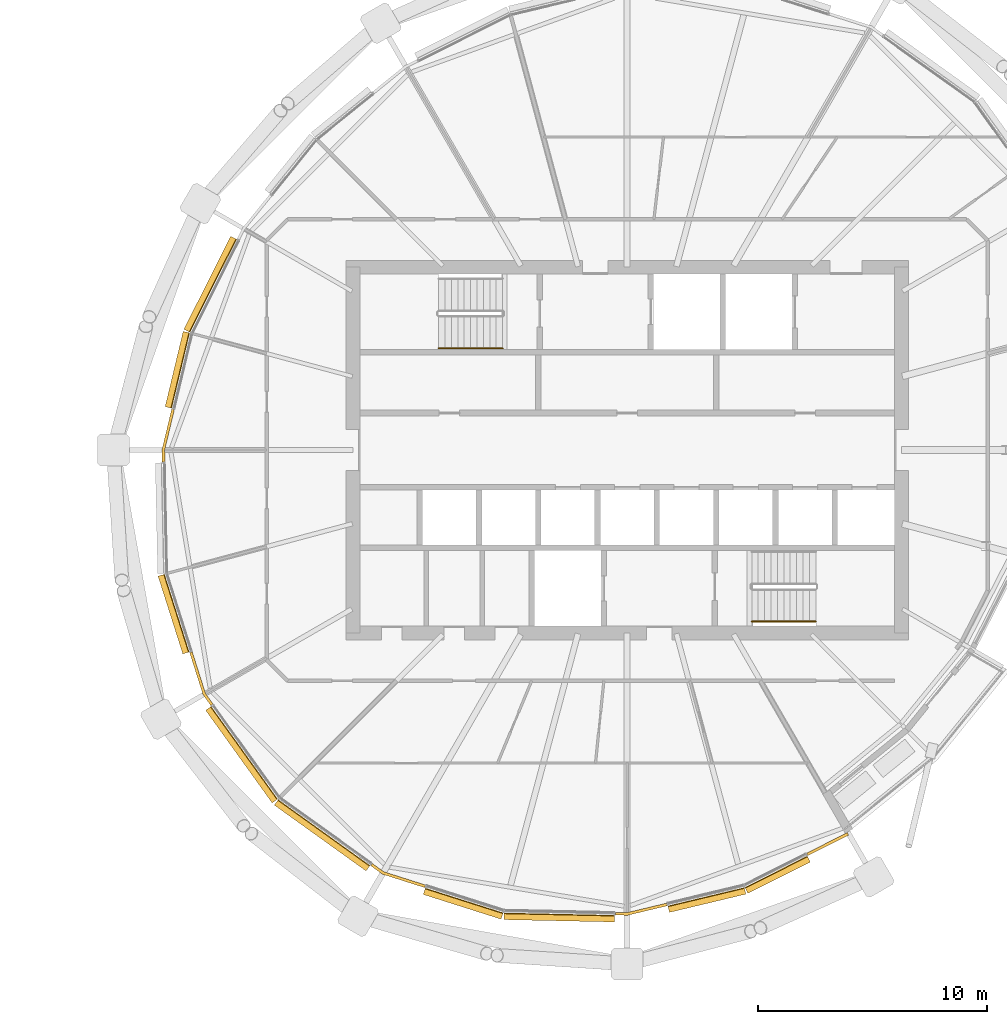
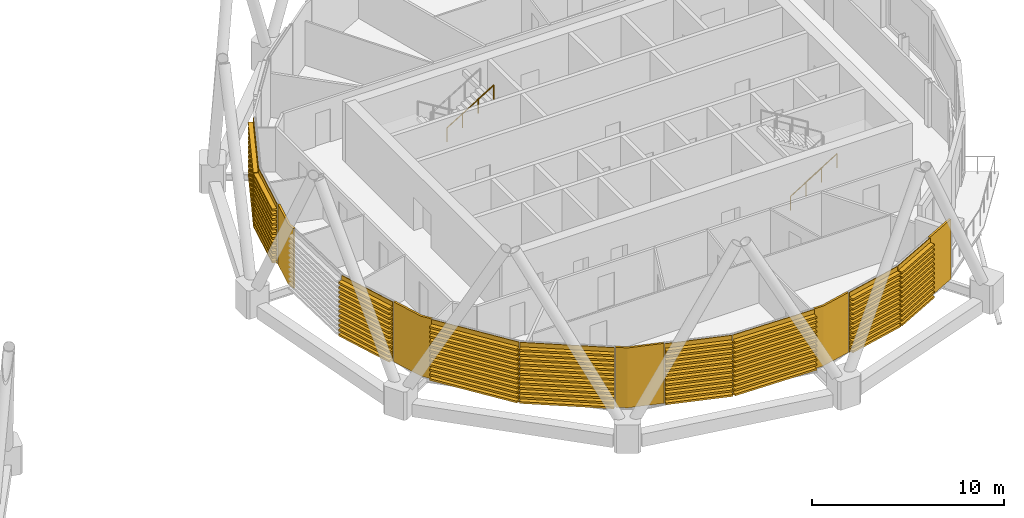
# One storey, part 33 of 36: 14 coverings, 2 railings.
"""IFC4 building model written with IfcOpenShell, lengths in metres."""

from ifc_helpers import new_model, si_unit, direction, frame, origin, origin_2d, place, context, subcontext, project, spatial, polyline, circle, outline, extrude, material, layer, layer_set, material_profile, profile_set, type_object, element, save


model = new_model("IFC4")

# Units and contexts
model_context = context("Model", 3, precision=1e-05, world=origin(), true_north=direction((0.0, 1.0)))
body_context = subcontext(model_context, "Body", "Model", "MODEL_VIEW")
ifc_project = project(units=[si_unit("LENGTHUNIT", "METRE"), si_unit("AREAUNIT", "SQUARE_METRE"), si_unit("VOLUMEUNIT", "CUBIC_METRE"), si_unit("PLANEANGLEUNIT", "RADIAN"), si_unit("MASSUNIT", "GRAM", prefix="KILO")], contexts=[model_context])

# Site, building, storey
site_placement = place(None, origin())
site = spatial("IfcSite", under=ifc_project, at=site_placement, CompositionType="ELEMENT")
building_placement = place(site_placement, origin())
building = spatial("IfcBuilding", under=site, at=building_placement, Name="Rimbun Link Towers", CompositionType="ELEMENT")
storey_placement = place(building_placement, frame((0.0, 0.0, 193.10009765625)))
storey = spatial("IfcBuildingStorey", under=building, at=storey_placement, Name="L47", CompositionType="ELEMENT", Elevation=193.10009765625)

# Coverings
ifc_material_1 = material(Name="Terracotta", Category="masonry")
ifc_layer = layer(ifc_material_1, 0.1201171875)
ifc_layer_set = layer_set([ifc_layer], Name="LINK PIER terracotta cladding 120")
covering_type_1 = type_object("IfcCoveringType", Name="LINK PIER terracotta cladding 120", PredefinedType="CLADDING", material=ifc_layer_set)
covering_1_placement = place(storey_placement, origin())
element("IfcCovering", 1, at=covering_1_placement, inside=storey, type_object=covering_type_1, Name="LINK PIER cladding", PredefinedType="CLADDING", context=body_context, shape_type="SweptSolid", body=[
    extrude(outline(polyline([(11.52587890625, -0.519775390625), (11.514892578125, 0.0), (11.938232421875, 1.77001953125), (11.821533203125, 1.798095703125), (11.39453125, 0.012939453125), (11.40576171875, -0.5224609375), (11.52587890625, -0.519775390625)])), origin(), (0.0, 0.0, 1.0), 3.7998046875),
])
covering_2_placement = place(storey_placement, origin())
element("IfcCovering", 2, at=covering_2_placement, inside=storey, type_object=covering_type_1, Name="LINK PIER cladding", PredefinedType="CLADDING", context=body_context, shape_type="SweptSolid", body=[
    extrude(outline(polyline([(13.633544921875, -11.114501953125), (13.30126953125, -10.6513671875), (12.719482421875, -8.82177734375), (12.60498046875, -8.858154296875), (13.192626953125, -10.705810546875), (13.5361328125, -11.1845703125), (13.633544921875, -11.114501953125)])), origin(), (0.0, 0.0, 1.0), 3.7998046875),
])
covering_3_placement = place(storey_placement, origin())
element("IfcCovering", 3, at=covering_3_placement, inside=storey, type_object=covering_type_1, Name="LINK PIER cladding", PredefinedType="CLADDING", context=body_context, shape_type="SweptSolid", body=[
    extrude(outline(polyline([(22.92822265625, -19.030517578125), (21.0986328125, -18.44873046875), (20.594970703125, -18.087158203125), (20.52490234375, -18.184814453125), (21.044189453125, -18.557373046875), (22.891845703125, -19.14501953125), (22.92822265625, -19.030517578125)])), origin(), (0.0, 0.0, 1.0), 3.7998046875),
])
covering_4_placement = place(storey_placement, origin())
element("IfcCovering", 4, at=covering_4_placement, inside=storey, type_object=covering_type_1, Name="LINK PIER cladding", PredefinedType="CLADDING", context=body_context, shape_type="SweptSolid", body=[
    extrude(outline(polyline([(33.471435546875, -19.823486328125), (31.75, -20.235107421875), (31.230224609375, -20.22412109375), (31.2275390625, -20.34423828125), (31.762939453125, -20.35546875), (33.499267578125, -19.940185546875), (33.471435546875, -19.823486328125)])), origin(), (0.0, 0.0, 1.0), 3.7998046875),
])
covering_5_placement = place(storey_placement, origin())
element("IfcCovering", 5, at=covering_5_placement, inside=storey, type_object=covering_type_1, Name="LINK PIER cladding", PredefinedType="CLADDING", context=body_context, shape_type="SweptSolid", body=[
    extrude(outline(polyline([(41.3798828125, -16.7392578125), (39.6015625, -17.63232421875), (39.6552734375, -17.739501953125), (41.433837890625, -16.846435546875), (41.3798828125, -16.7392578125)])), origin(), (0.0, 0.0, 1.0), 3.7998046875),
])

# Railings
ifc_material_2 = material(Name="Stainless steel grade 316", Category="steel")
railing_type = type_object("IfcRailingType", Name="Stair handrail", PredefinedType="HANDRAIL", material=ifc_material_2)
for number, where, name in (
    (6, (23.5, 4.449951171875, 2.072509765625), "L47 ST3 stair handrail 2"),
    (7, (37.199951171875, -7.5, 0.172607421875), "L47 ST4 stair handrail 1"),
):
    element("IfcRailing", number, at=place(storey_placement, frame(where)), inside=storey, type_object=railing_type, Name=name, PredefinedType="HANDRAIL", context=body_context, shape_type="SweptSolid", body=[
        extrude(circle(Radius=0.02392578125, at=origin_2d()), frame((0.0, 0.0, 0.8759765625), z_axis=(0.851089632645, 0.0, 0.525020415988), x_axis=(0.0, 1.0, 0.0)), (0.0, 0.0, 1.0), 3.2900390625),
        extrude(circle(Radius=0.02099609375, at=origin_2d()), origin(), (0.0, 0.0, 1.0), 0.851806640625),
        extrude(circle(Radius=0.02099609375, at=origin_2d()), frame((0.933349609375, 0.0, 0.57568359375)), (0.0, 0.0, 1.0), 0.851806640625),
        extrude(circle(Radius=0.02099609375, at=origin_2d()), frame((1.86669921875, 0.0, 1.151611328125)), (0.0, 0.0, 1.0), 0.851806640625),
        extrude(circle(Radius=0.02099609375, at=origin_2d()), frame((2.800048828125, 0.0, 1.727294921875)), (0.0, 0.0, 1.0), 0.851806640625),
    ])

# Coverings
ifc_material_3 = material(Name="Terracotta", Category="masonry")
ifc_material_profile = material_profile(ifc_material_3, outline(polyline([(0.123046875, 0.0), (0.1630859375, 0.0), (0.1630859375, 0.10009765625), (0.423095703125, 0.10009765625), (0.423095703125, 0.219970703125), (0.1630859375, 0.219970703125), (0.1630859375, 0.39990234375), (0.423095703125, 0.39990234375), (0.423095703125, 0.52001953125), (0.1630859375, 0.52001953125), (0.1630859375, 0.699951171875), (0.423095703125, 0.699951171875), (0.423095703125, 0.820068359375), (0.1630859375, 0.820068359375), (0.1630859375, 1.0), (0.423095703125, 1.0), (0.423095703125, 1.1201171875), (0.1630859375, 1.1201171875), (0.1630859375, 1.300048828125), (0.423095703125, 1.300048828125), (0.423095703125, 1.419921875), (0.1630859375, 1.419921875), (0.1630859375, 1.60009765625), (0.423095703125, 1.60009765625), (0.423095703125, 1.719970703125), (0.1630859375, 1.719970703125), (0.1630859375, 1.89990234375), (0.423095703125, 1.89990234375), (0.423095703125, 2.02001953125), (0.1630859375, 2.02001953125), (0.1630859375, 2.199951171875), (0.423095703125, 2.199951171875), (0.423095703125, 2.320068359375), (0.1630859375, 2.320068359375), (0.1630859375, 2.5), (0.423095703125, 2.5), (0.423095703125, 2.6201171875), (0.1630859375, 2.6201171875), (0.1630859375, 2.800048828125), (0.423095703125, 2.800048828125), (0.423095703125, 2.919921875), (0.1630859375, 2.919921875), (0.1630859375, 3.10009765625), (0.423095703125, 3.10009765625), (0.423095703125, 3.219970703125), (0.1630859375, 3.219970703125), (0.1630859375, 3.39990234375), (0.423095703125, 3.39990234375), (0.423095703125, 3.52001953125), (0.1630859375, 3.52001953125), (0.1630859375, 3.800048828125), (0.123046875, 3.800048828125), (0.123046875, 0.0)])), Name="BAGUETTE 120X300")
ifc_profile_set = profile_set([ifc_material_profile], Name="Terracotta")
covering_type_2 = type_object("IfcCoveringType", Name="TERRACOTTA BAGUETTE 120X300 H3800", PredefinedType="CLADDING", material=ifc_profile_set)
covering_6_placement = place(storey_placement, frame((12.733642578125, 5.095458984375, 0.0), z_axis=(0.448756854381, 0.893653895894, 0.0), x_axis=(-0.893653895894, 0.448756854381, 0.0)))
element("IfcCovering", 8, at=covering_6_placement, inside=storey, type_object=covering_type_2, Name="TERRACOTTA BAGUETTE", PredefinedType="CLADDING", context=body_context, shape_type="SweptSolid", body=[
    extrude(outline(polyline([(0.123046875, 0.0), (0.1630859375, 0.0), (0.1630859375, 0.10009765625), (0.423095703125, 0.10009765625), (0.423095703125, 0.219970703125), (0.1630859375, 0.219970703125), (0.1630859375, 0.39990234375), (0.423095703125, 0.39990234375), (0.423095703125, 0.52001953125), (0.1630859375, 0.52001953125), (0.1630859375, 0.699951171875), (0.423095703125, 0.699951171875), (0.423095703125, 0.820068359375), (0.1630859375, 0.820068359375), (0.1630859375, 1.0), (0.423095703125, 1.0), (0.423095703125, 1.1201171875), (0.1630859375, 1.1201171875), (0.1630859375, 1.300048828125), (0.423095703125, 1.300048828125), (0.423095703125, 1.419921875), (0.1630859375, 1.419921875), (0.1630859375, 1.60009765625), (0.423095703125, 1.60009765625), (0.423095703125, 1.719970703125), (0.1630859375, 1.719970703125), (0.1630859375, 1.89990234375), (0.423095703125, 1.89990234375), (0.423095703125, 2.02001953125), (0.1630859375, 2.02001953125), (0.1630859375, 2.199951171875), (0.423095703125, 2.199951171875), (0.423095703125, 2.320068359375), (0.1630859375, 2.320068359375), (0.1630859375, 2.5), (0.423095703125, 2.5), (0.423095703125, 2.6201171875), (0.1630859375, 2.6201171875), (0.1630859375, 2.800048828125), (0.423095703125, 2.800048828125), (0.423095703125, 2.919921875), (0.1630859375, 2.919921875), (0.1630859375, 3.10009765625), (0.423095703125, 3.10009765625), (0.423095703125, 3.219970703125), (0.1630859375, 3.219970703125), (0.1630859375, 3.39990234375), (0.423095703125, 3.39990234375), (0.423095703125, 3.52001953125), (0.1630859375, 3.52001953125), (0.1630859375, 3.800048828125), (0.123046875, 3.800048828125), (0.123046875, 0.0)])), origin(), (0.0, 0.0, 1.0), 4.55419921875),
])
covering_7_placement = place(storey_placement, frame((11.9453125, 1.79931640625, 0.0), z_axis=(0.2326072833, 0.972570743831, 0.0), x_axis=(-0.972570743831, 0.2326072833, 0.0)))
element("IfcCovering", 9, at=covering_7_placement, inside=storey, type_object=covering_type_2, Name="TERRACOTTA BAGUETTE", PredefinedType="CLADDING", context=body_context, shape_type="SweptSolid", body=[
    extrude(outline(polyline([(0.123046875, 0.0), (0.1630859375, 0.0), (0.1630859375, 0.10009765625), (0.423095703125, 0.10009765625), (0.423095703125, 0.219970703125), (0.1630859375, 0.219970703125), (0.1630859375, 0.39990234375), (0.423095703125, 0.39990234375), (0.423095703125, 0.52001953125), (0.1630859375, 0.52001953125), (0.1630859375, 0.699951171875), (0.423095703125, 0.699951171875), (0.423095703125, 0.820068359375), (0.1630859375, 0.820068359375), (0.1630859375, 1.0), (0.423095703125, 1.0), (0.423095703125, 1.1201171875), (0.1630859375, 1.1201171875), (0.1630859375, 1.300048828125), (0.423095703125, 1.300048828125), (0.423095703125, 1.419921875), (0.1630859375, 1.419921875), (0.1630859375, 1.60009765625), (0.423095703125, 1.60009765625), (0.423095703125, 1.719970703125), (0.1630859375, 1.719970703125), (0.1630859375, 1.89990234375), (0.423095703125, 1.89990234375), (0.423095703125, 2.02001953125), (0.1630859375, 2.02001953125), (0.1630859375, 2.199951171875), (0.423095703125, 2.199951171875), (0.423095703125, 2.320068359375), (0.1630859375, 2.320068359375), (0.1630859375, 2.5), (0.423095703125, 2.5), (0.423095703125, 2.6201171875), (0.1630859375, 2.6201171875), (0.1630859375, 2.800048828125), (0.423095703125, 2.800048828125), (0.423095703125, 2.919921875), (0.1630859375, 2.919921875), (0.1630859375, 3.10009765625), (0.423095703125, 3.10009765625), (0.423095703125, 3.219970703125), (0.1630859375, 3.219970703125), (0.1630859375, 3.39990234375), (0.423095703125, 3.39990234375), (0.423095703125, 3.52001953125), (0.1630859375, 3.52001953125), (0.1630859375, 3.800048828125), (0.123046875, 3.800048828125), (0.123046875, 0.0)])), origin(), (0.0, 0.0, 1.0), 3.38916015625),
])
covering_8_placement = place(storey_placement, frame((12.710205078125, -8.793212890625, 0.0), z_axis=(-0.303065321002, 0.952969785043, 0.0), x_axis=(-0.952969785043, -0.303065321002, 0.0)))
element("IfcCovering", 10, at=covering_8_placement, inside=storey, type_object=covering_type_2, Name="TERRACOTTA BAGUETTE", PredefinedType="CLADDING", context=body_context, shape_type="SweptSolid", body=[
    extrude(outline(polyline([(0.123046875, 0.0), (0.1630859375, 0.0), (0.1630859375, 0.10009765625), (0.423095703125, 0.10009765625), (0.423095703125, 0.219970703125), (0.1630859375, 0.219970703125), (0.1630859375, 0.39990234375), (0.423095703125, 0.39990234375), (0.423095703125, 0.52001953125), (0.1630859375, 0.52001953125), (0.1630859375, 0.699951171875), (0.423095703125, 0.699951171875), (0.423095703125, 0.820068359375), (0.1630859375, 0.820068359375), (0.1630859375, 1.0), (0.423095703125, 1.0), (0.423095703125, 1.1201171875), (0.1630859375, 1.1201171875), (0.1630859375, 1.300048828125), (0.423095703125, 1.300048828125), (0.423095703125, 1.419921875), (0.1630859375, 1.419921875), (0.1630859375, 1.60009765625), (0.423095703125, 1.60009765625), (0.423095703125, 1.719970703125), (0.1630859375, 1.719970703125), (0.1630859375, 1.89990234375), (0.423095703125, 1.89990234375), (0.423095703125, 2.02001953125), (0.1630859375, 2.02001953125), (0.1630859375, 2.199951171875), (0.423095703125, 2.199951171875), (0.423095703125, 2.320068359375), (0.1630859375, 2.320068359375), (0.1630859375, 2.5), (0.423095703125, 2.5), (0.423095703125, 2.6201171875), (0.1630859375, 2.6201171875), (0.1630859375, 2.800048828125), (0.423095703125, 2.800048828125), (0.423095703125, 2.919921875), (0.1630859375, 2.919921875), (0.1630859375, 3.10009765625), (0.423095703125, 3.10009765625), (0.423095703125, 3.219970703125), (0.1630859375, 3.219970703125), (0.1630859375, 3.39990234375), (0.423095703125, 3.39990234375), (0.423095703125, 3.52001953125), (0.1630859375, 3.52001953125), (0.1630859375, 3.800048828125), (0.123046875, 3.800048828125), (0.123046875, 0.0)])), origin(), (0.0, 0.0, 1.0), 3.569580078125),
])
covering_9_placement = place(storey_placement, frame((16.558837890625, -15.191162109375, 0.0), z_axis=(-0.582996394651, 0.812474740422, 0.0), x_axis=(-0.812474740422, -0.582996394651, 0.0)))
element("IfcCovering", 11, at=covering_9_placement, inside=storey, type_object=covering_type_2, Name="TERRACOTTA BAGUETTE", PredefinedType="CLADDING", context=body_context, shape_type="SweptSolid", body=[
    extrude(outline(polyline([(0.123046875, 0.0), (0.1630859375, 0.0), (0.1630859375, 0.10009765625), (0.423095703125, 0.10009765625), (0.423095703125, 0.219970703125), (0.1630859375, 0.219970703125), (0.1630859375, 0.39990234375), (0.423095703125, 0.39990234375), (0.423095703125, 0.52001953125), (0.1630859375, 0.52001953125), (0.1630859375, 0.699951171875), (0.423095703125, 0.699951171875), (0.423095703125, 0.820068359375), (0.1630859375, 0.820068359375), (0.1630859375, 1.0), (0.423095703125, 1.0), (0.423095703125, 1.1201171875), (0.1630859375, 1.1201171875), (0.1630859375, 1.300048828125), (0.423095703125, 1.300048828125), (0.423095703125, 1.419921875), (0.1630859375, 1.419921875), (0.1630859375, 1.60009765625), (0.423095703125, 1.60009765625), (0.423095703125, 1.719970703125), (0.1630859375, 1.719970703125), (0.1630859375, 1.89990234375), (0.423095703125, 1.89990234375), (0.423095703125, 2.02001953125), (0.1630859375, 2.02001953125), (0.1630859375, 2.199951171875), (0.423095703125, 2.199951171875), (0.423095703125, 2.320068359375), (0.1630859375, 2.320068359375), (0.1630859375, 2.5), (0.423095703125, 2.5), (0.423095703125, 2.6201171875), (0.1630859375, 2.6201171875), (0.1630859375, 2.800048828125), (0.423095703125, 2.800048828125), (0.423095703125, 2.919921875), (0.1630859375, 2.919921875), (0.1630859375, 3.10009765625), (0.423095703125, 3.10009765625), (0.423095703125, 3.219970703125), (0.1630859375, 3.219970703125), (0.1630859375, 3.39990234375), (0.423095703125, 3.39990234375), (0.423095703125, 3.52001953125), (0.1630859375, 3.52001953125), (0.1630859375, 3.800048828125), (0.123046875, 3.800048828125), (0.123046875, 0.0)])), origin(), (0.0, 0.0, 1.0), 4.987548828125),
])
covering_10_placement = place(storey_placement, frame((20.570556640625, -18.06982421875, 0.0), z_axis=(-0.812472062268, 0.583000126959, 0.0), x_axis=(-0.583000126959, -0.812472062268, 0.0)))
element("IfcCovering", 12, at=covering_10_placement, inside=storey, type_object=covering_type_2, Name="TERRACOTTA BAGUETTE", PredefinedType="CLADDING", context=body_context, shape_type="SweptSolid", body=[
    extrude(outline(polyline([(0.123046875, 0.0), (0.1630859375, 0.0), (0.1630859375, 0.10009765625), (0.423095703125, 0.10009765625), (0.423095703125, 0.219970703125), (0.1630859375, 0.219970703125), (0.1630859375, 0.39990234375), (0.423095703125, 0.39990234375), (0.423095703125, 0.52001953125), (0.1630859375, 0.52001953125), (0.1630859375, 0.699951171875), (0.423095703125, 0.699951171875), (0.423095703125, 0.820068359375), (0.1630859375, 0.820068359375), (0.1630859375, 1.0), (0.423095703125, 1.0), (0.423095703125, 1.1201171875), (0.1630859375, 1.1201171875), (0.1630859375, 1.300048828125), (0.423095703125, 1.300048828125), (0.423095703125, 1.419921875), (0.1630859375, 1.419921875), (0.1630859375, 1.60009765625), (0.423095703125, 1.60009765625), (0.423095703125, 1.719970703125), (0.1630859375, 1.719970703125), (0.1630859375, 1.89990234375), (0.423095703125, 1.89990234375), (0.423095703125, 2.02001953125), (0.1630859375, 2.02001953125), (0.1630859375, 2.199951171875), (0.423095703125, 2.199951171875), (0.423095703125, 2.320068359375), (0.1630859375, 2.320068359375), (0.1630859375, 2.5), (0.423095703125, 2.5), (0.423095703125, 2.6201171875), (0.1630859375, 2.6201171875), (0.1630859375, 2.800048828125), (0.423095703125, 2.800048828125), (0.423095703125, 2.919921875), (0.1630859375, 2.919921875), (0.1630859375, 3.10009765625), (0.423095703125, 3.10009765625), (0.423095703125, 3.219970703125), (0.1630859375, 3.219970703125), (0.1630859375, 3.39990234375), (0.423095703125, 3.39990234375), (0.423095703125, 3.52001953125), (0.1630859375, 3.52001953125), (0.1630859375, 3.800048828125), (0.123046875, 3.800048828125), (0.123046875, 0.0)])), origin(), (0.0, 0.0, 1.0), 4.937744140625),
])
covering_11_placement = place(storey_placement, frame((26.3583984375, -20.12158203125, 0.0), z_axis=(-0.952969785043, 0.303065321002, 0.0), x_axis=(-0.303065321002, -0.952969785043, 0.0)))
element("IfcCovering", 13, at=covering_11_placement, inside=storey, type_object=covering_type_2, Name="TERRACOTTA BAGUETTE", PredefinedType="CLADDING", context=body_context, shape_type="SweptSolid", body=[
    extrude(outline(polyline([(0.123046875, 0.0), (0.1630859375, 0.0), (0.1630859375, 0.10009765625), (0.423095703125, 0.10009765625), (0.423095703125, 0.219970703125), (0.1630859375, 0.219970703125), (0.1630859375, 0.39990234375), (0.423095703125, 0.39990234375), (0.423095703125, 0.52001953125), (0.1630859375, 0.52001953125), (0.1630859375, 0.699951171875), (0.423095703125, 0.699951171875), (0.423095703125, 0.820068359375), (0.1630859375, 0.820068359375), (0.1630859375, 1.0), (0.423095703125, 1.0), (0.423095703125, 1.1201171875), (0.1630859375, 1.1201171875), (0.1630859375, 1.300048828125), (0.423095703125, 1.300048828125), (0.423095703125, 1.419921875), (0.1630859375, 1.419921875), (0.1630859375, 1.60009765625), (0.423095703125, 1.60009765625), (0.423095703125, 1.719970703125), (0.1630859375, 1.719970703125), (0.1630859375, 1.89990234375), (0.423095703125, 1.89990234375), (0.423095703125, 2.02001953125), (0.1630859375, 2.02001953125), (0.1630859375, 2.199951171875), (0.423095703125, 2.199951171875), (0.423095703125, 2.320068359375), (0.1630859375, 2.320068359375), (0.1630859375, 2.5), (0.423095703125, 2.5), (0.423095703125, 2.6201171875), (0.1630859375, 2.6201171875), (0.1630859375, 2.800048828125), (0.423095703125, 2.800048828125), (0.423095703125, 2.919921875), (0.1630859375, 2.919921875), (0.1630859375, 3.10009765625), (0.423095703125, 3.10009765625), (0.423095703125, 3.219970703125), (0.1630859375, 3.219970703125), (0.1630859375, 3.39990234375), (0.423095703125, 3.39990234375), (0.423095703125, 3.52001953125), (0.1630859375, 3.52001953125), (0.1630859375, 3.800048828125), (0.123046875, 3.800048828125), (0.123046875, 0.0)])), origin(), (0.0, 0.0, 1.0), 3.569580078125),
])
covering_12_placement = place(storey_placement, frame((31.2001953125, -20.2236328125, 0.0), z_axis=(-0.99977795302, 0.021072367102, 0.0), x_axis=(-0.021072367102, -0.99977795302, 0.0)))
element("IfcCovering", 14, at=covering_12_placement, inside=storey, type_object=covering_type_2, Name="TERRACOTTA BAGUETTE", PredefinedType="CLADDING", context=body_context, shape_type="SweptSolid", body=[
    extrude(outline(polyline([(0.123046875, 0.0), (0.1630859375, 0.0), (0.1630859375, 0.10009765625), (0.423095703125, 0.10009765625), (0.423095703125, 0.219970703125), (0.1630859375, 0.219970703125), (0.1630859375, 0.39990234375), (0.423095703125, 0.39990234375), (0.423095703125, 0.52001953125), (0.1630859375, 0.52001953125), (0.1630859375, 0.699951171875), (0.423095703125, 0.699951171875), (0.423095703125, 0.820068359375), (0.1630859375, 0.820068359375), (0.1630859375, 1.0), (0.423095703125, 1.0), (0.423095703125, 1.1201171875), (0.1630859375, 1.1201171875), (0.1630859375, 1.300048828125), (0.423095703125, 1.300048828125), (0.423095703125, 1.419921875), (0.1630859375, 1.419921875), (0.1630859375, 1.60009765625), (0.423095703125, 1.60009765625), (0.423095703125, 1.719970703125), (0.1630859375, 1.719970703125), (0.1630859375, 1.89990234375), (0.423095703125, 1.89990234375), (0.423095703125, 2.02001953125), (0.1630859375, 2.02001953125), (0.1630859375, 2.199951171875), (0.423095703125, 2.199951171875), (0.423095703125, 2.320068359375), (0.1630859375, 2.320068359375), (0.1630859375, 2.5), (0.423095703125, 2.5), (0.423095703125, 2.6201171875), (0.1630859375, 2.6201171875), (0.1630859375, 2.800048828125), (0.423095703125, 2.800048828125), (0.423095703125, 2.919921875), (0.1630859375, 2.919921875), (0.1630859375, 3.10009765625), (0.423095703125, 3.10009765625), (0.423095703125, 3.219970703125), (0.1630859375, 3.219970703125), (0.1630859375, 3.39990234375), (0.423095703125, 3.39990234375), (0.423095703125, 3.52001953125), (0.1630859375, 3.52001953125), (0.1630859375, 3.800048828125), (0.123046875, 3.800048828125), (0.123046875, 0.0)])), origin(), (0.0, 0.0, 1.0), 4.8427734375),
])
covering_13_placement = place(storey_placement, frame((36.845458984375, -19.016357421875, 0.0), z_axis=(-0.97256422838, -0.232634523825, 0.0), x_axis=(0.232634523825, -0.97256422838, 0.0)))
element("IfcCovering", 15, at=covering_13_placement, inside=storey, type_object=covering_type_2, Name="TERRACOTTA BAGUETTE", PredefinedType="CLADDING", context=body_context, shape_type="SweptSolid", body=[
    extrude(outline(polyline([(0.123046875, 0.0), (0.1630859375, 0.0), (0.1630859375, 0.10009765625), (0.423095703125, 0.10009765625), (0.423095703125, 0.219970703125), (0.1630859375, 0.219970703125), (0.1630859375, 0.39990234375), (0.423095703125, 0.39990234375), (0.423095703125, 0.52001953125), (0.1630859375, 0.52001953125), (0.1630859375, 0.699951171875), (0.423095703125, 0.699951171875), (0.423095703125, 0.820068359375), (0.1630859375, 0.820068359375), (0.1630859375, 1.0), (0.423095703125, 1.0), (0.423095703125, 1.1201171875), (0.1630859375, 1.1201171875), (0.1630859375, 1.300048828125), (0.423095703125, 1.300048828125), (0.423095703125, 1.419921875), (0.1630859375, 1.419921875), (0.1630859375, 1.60009765625), (0.423095703125, 1.60009765625), (0.423095703125, 1.719970703125), (0.1630859375, 1.719970703125), (0.1630859375, 1.89990234375), (0.423095703125, 1.89990234375), (0.423095703125, 2.02001953125), (0.1630859375, 2.02001953125), (0.1630859375, 2.199951171875), (0.423095703125, 2.199951171875), (0.423095703125, 2.320068359375), (0.1630859375, 2.320068359375), (0.1630859375, 2.5), (0.423095703125, 2.5), (0.423095703125, 2.6201171875), (0.1630859375, 2.6201171875), (0.1630859375, 2.800048828125), (0.423095703125, 2.800048828125), (0.423095703125, 2.919921875), (0.1630859375, 2.919921875), (0.1630859375, 3.10009765625), (0.423095703125, 3.10009765625), (0.423095703125, 3.219970703125), (0.1630859375, 3.219970703125), (0.1630859375, 3.39990234375), (0.423095703125, 3.39990234375), (0.423095703125, 3.52001953125), (0.1630859375, 3.52001953125), (0.1630859375, 3.800048828125), (0.123046875, 3.800048828125), (0.123046875, 0.0)])), origin(), (0.0, 0.0, 1.0), 3.43896484375),
])
covering_14_placement = place(storey_placement, frame((39.57470703125, -17.645751953125, 0.0), z_axis=(-0.893642412671, -0.448779721329, 0.0), x_axis=(0.448779721329, -0.893642412671, 0.0)))
element("IfcCovering", 16, at=covering_14_placement, inside=storey, type_object=covering_type_2, Name="TERRACOTTA BAGUETTE", PredefinedType="CLADDING", context=body_context, shape_type="SweptSolid", body=[
    extrude(outline(polyline([(0.123046875, 0.0), (0.1630859375, 0.0), (0.1630859375, 0.10009765625), (0.423095703125, 0.10009765625), (0.423095703125, 0.219970703125), (0.1630859375, 0.219970703125), (0.1630859375, 0.39990234375), (0.423095703125, 0.39990234375), (0.423095703125, 0.52001953125), (0.1630859375, 0.52001953125), (0.1630859375, 0.699951171875), (0.423095703125, 0.699951171875), (0.423095703125, 0.820068359375), (0.1630859375, 0.820068359375), (0.1630859375, 1.0), (0.423095703125, 1.0), (0.423095703125, 1.1201171875), (0.1630859375, 1.1201171875), (0.1630859375, 1.300048828125), (0.423095703125, 1.300048828125), (0.423095703125, 1.419921875), (0.1630859375, 1.419921875), (0.1630859375, 1.60009765625), (0.423095703125, 1.60009765625), (0.423095703125, 1.719970703125), (0.1630859375, 1.719970703125), (0.1630859375, 1.89990234375), (0.423095703125, 1.89990234375), (0.423095703125, 2.02001953125), (0.1630859375, 2.02001953125), (0.1630859375, 2.199951171875), (0.423095703125, 2.199951171875), (0.423095703125, 2.320068359375), (0.1630859375, 2.320068359375), (0.1630859375, 2.5), (0.423095703125, 2.5), (0.423095703125, 2.6201171875), (0.1630859375, 2.6201171875), (0.1630859375, 2.800048828125), (0.423095703125, 2.800048828125), (0.423095703125, 2.919921875), (0.1630859375, 2.919921875), (0.1630859375, 3.10009765625), (0.423095703125, 3.10009765625), (0.423095703125, 3.219970703125), (0.1630859375, 3.219970703125), (0.1630859375, 3.39990234375), (0.423095703125, 3.39990234375), (0.423095703125, 3.52001953125), (0.1630859375, 3.52001953125), (0.1630859375, 3.800048828125), (0.123046875, 3.800048828125), (0.123046875, 0.0)])), origin(), (0.0, 0.0, 1.0), 3.053955078125),
])

save(model, "model.ifc")
